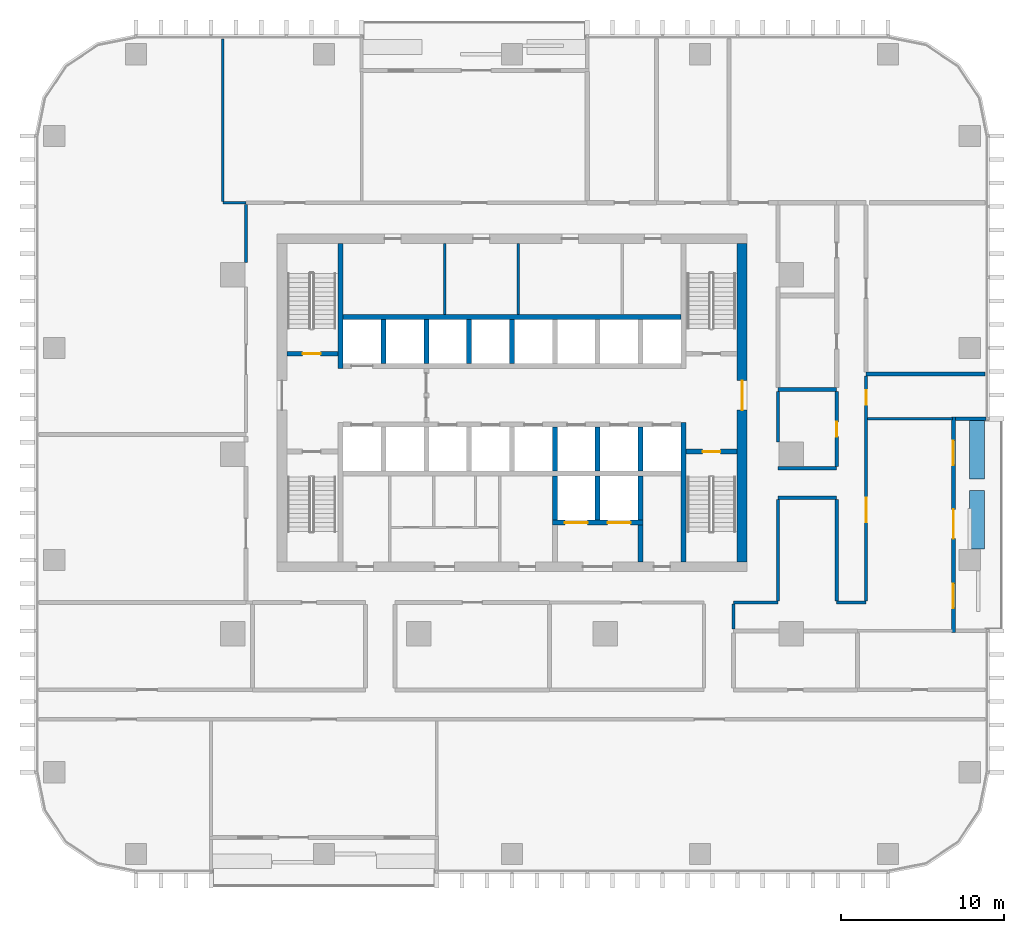
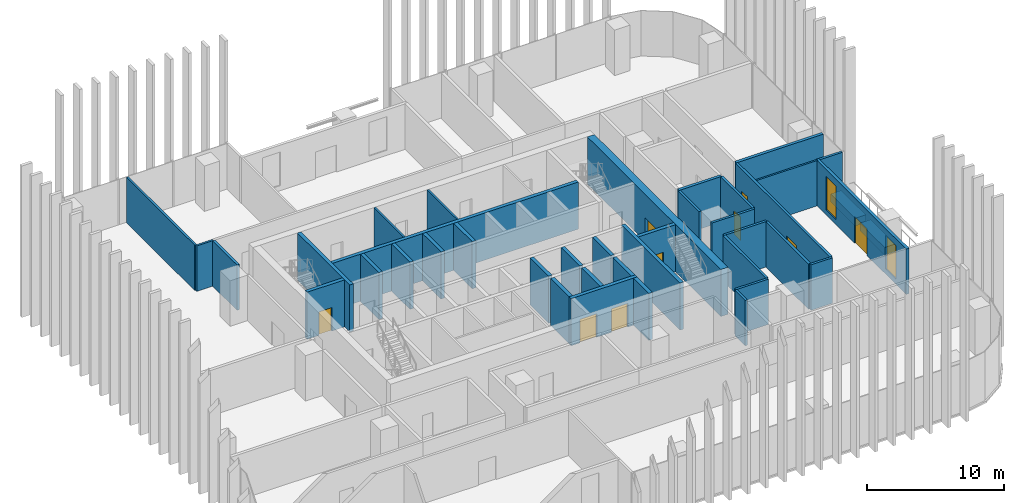
# One storey, part 9 of 17: 40 walls, 9 doors, 2 windows, 11 openings.
"""IFC4 building model written with IfcOpenShell, lengths in metres."""

from ifc_helpers import new_model, si_unit, direction, frame, frame_2d, origin, place, context, subcontext, project, spatial, rectangle, extrude, material, layer, layer_set, type_object, element, fill, save


model = new_model("IFC4")

# Units and contexts
model_context = context("Model", 3, precision=1e-05, world=origin(), true_north=direction((0.0, 1.0)))
body_context = subcontext(model_context, "Body", "Model", "MODEL_VIEW")
ifc_project = project(units=[si_unit("LENGTHUNIT", "METRE"), si_unit("AREAUNIT", "SQUARE_METRE"), si_unit("VOLUMEUNIT", "CUBIC_METRE"), si_unit("PLANEANGLEUNIT", "RADIAN"), si_unit("MASSUNIT", "GRAM", prefix="KILO")], contexts=[model_context])

# Site, building, storey
site_placement = place(None, origin())
site = spatial("IfcSite", under=ifc_project, at=site_placement, CompositionType="ELEMENT")
building_placement = place(site_placement, origin())
building = spatial("IfcBuilding", under=site, at=building_placement, Name="Mopane Tessera Tower", CompositionType="ELEMENT")
storey_placement = place(building_placement, frame((0.0, 0.0, 121.60009765625)))
storey = spatial("IfcBuildingStorey", under=building, at=storey_placement, Name="L24", CompositionType="ELEMENT", Elevation=121.60009765625)

# Walls
ifc_material_1 = material(Name="Fire-rated gypsum board partition")
ifc_layer_1 = layer(ifc_material_1, 0.14990234375)
ifc_layer_set_1 = layer_set([ifc_layer_1], Name="Fire-rated gypsum board partition")
wall_type_1 = type_object("IfcWallType", Name="Core room partition 150 mm", PredefinedType="PARTITIONING", material=ifc_layer_set_1)
for number, where, z_axis, x_axis, name in (
    (1, (-4.125, 8.550048828125, 0.0), (0.0, 0.0, 1.0), (0.0, 1.0, 0.0), "L24 Room partition"),
    (2, (0.375, 8.550048828125, 0.0), (0.0, 0.0, 1.0), (0.0, 1.0, 0.0), "L24 Room partition"),
):
    element("IfcWall", number, at=place(storey_placement, frame(where, z_axis=z_axis, x_axis=x_axis)), inside=storey, type_object=wall_type_1, Name=name, PredefinedType="PARTITIONING", context=body_context, shape_type="SweptSolid", body=[
        extrude(rectangle(XDim=4.349853515625, YDim=0.14990234375, at=frame_2d((2.1748046875, 0.0))), origin(), (0.0, 0.0, 1.0), 4.199951171875),
    ])

# Wall, opening, door
ifc_material_2 = material(Name="Concrete C70/85", Category="concrete")
ifc_layer_2 = layer(ifc_material_2, 0.60009765625)
ifc_layer_set_2 = layer_set([ifc_layer_2], Name="Concrete C70/85")
wall_type_2 = type_object("IfcWallType", Name="Core shear wall 600 mm", PredefinedType="SHEAR", material=ifc_layer_set_2)
wall_1_placement = place(storey_placement, frame((14.10009765625, -6.60009765625, 0.0), z_axis=(0.0, 0.0, 1.0), x_axis=(0.0, 1.0, 0.0)))
wall_1 = element("IfcWall", 3, at=wall_1_placement, inside=storey, type_object=wall_type_2, Name="L24 Core wall east", PredefinedType="SHEAR", context=body_context, shape_type="SweptSolid", body=[
    extrude(rectangle(XDim=19.5, YDim=0.60009765625, at=frame_2d((9.75, 0.0))), origin(), (0.0, 0.0, 1.0), 4.199951171875),
])
opening_1_placement = place(wall_1_placement, frame((9.300048828125, 0.0, 0.0)))
opening_1 = element("IfcOpeningElement", 4, at=opening_1_placement, cuts=wall_1, Name="Opening SD2", PredefinedType="OPENING", context=body_context, shape_type="SweptSolid", body=[
    extrude(rectangle(XDim=1.800048828125, YDim=2.10009765625, at=frame_2d((0.89990234375, 1.050048828125))), frame((0.0, 0.31201171875, 0.0), z_axis=(0.0, -1.0, 0.0), x_axis=(1.0, 0.0, 0.0)), (0.0, 0.0, 1.0), 0.6240234375),
])
ifc_material_3 = material(Name="Steel fire door", Category="steel")
door_type_1 = type_object("IfcDoorType", Name="Core entrance double door 1800 x 2100", OperationType="DOUBLE_DOOR_SINGLE_SWING", PredefinedType="DOOR", material=ifc_material_3)
door_1_placement = place(opening_1_placement, origin())
door_1 = element("IfcDoor", 5, at=door_1_placement, inside=storey, type_object=door_type_1, Name="L24 Core entrance door east", OperationType="DOUBLE_DOOR_SINGLE_SWING", OverallHeight=2.10009765625, OverallWidth=1.800048828125, PredefinedType="DOOR", context=body_context, shape_type="SweptSolid", body=[
    extrude(rectangle(XDim=1.800048828125, YDim=2.10009765625, at=frame_2d((0.89990234375, 1.050048828125))), frame((0.0, 0.02490234375, 0.0), z_axis=(0.0, -1.0, 0.0), x_axis=(1.0, 0.0, 0.0)), (0.0, 0.0, 1.0), 0.050048828125),
])
fill(opening_1, door_1)

# Walls
ifc_material_4 = material(Name="Concrete C60/75", Category="concrete")
ifc_layer_3 = layer(ifc_material_4, 0.300048828125)
ifc_layer_set_3 = layer_set([ifc_layer_3], Name="Concrete C60/75")
wall_type_3 = type_object("IfcWallType", Name="Core spine wall 300 mm", PredefinedType="SHEAR", material=ifc_layer_set_3)
wall_2_placement = place(storey_placement, frame((-10.5, 5.25, 0.0), z_axis=(0.0, 0.0, 1.0), x_axis=(0.0, 1.0, 0.0)))
element("IfcWall", 6, at=wall_2_placement, inside=storey, type_object=wall_type_3, Name="L24 Core spine wall", PredefinedType="SHEAR", context=body_context, shape_type="SweptSolid", body=[
    extrude(rectangle(XDim=7.64990234375, YDim=0.300048828125, at=frame_2d((3.824951171875, 0.0))), origin(), (0.0, 0.0, 1.0), 4.199951171875),
])
wall_3_placement = place(storey_placement, frame((10.5, -6.60009765625, 0.0), z_axis=(0.0, 0.0, 1.0), x_axis=(0.0, 1.0, 0.0)))
element("IfcWall", 7, at=wall_3_placement, inside=storey, type_object=wall_type_3, Name="L24 Core spine wall", PredefinedType="SHEAR", context=body_context, shape_type="SweptSolid", body=[
    extrude(rectangle(XDim=8.550048828125, YDim=0.300048828125, at=frame_2d((4.27490234375, 0.0))), origin(), (0.0, 0.0, 1.0), 4.199951171875),
])
ifc_material_5 = material(Name="Gypsum board on staggered steel studs, double layer each face, acoustic mineral wool infill", Category="steel")
ifc_layer_4 = layer(ifc_material_5, 0.175048828125)
ifc_layer_set_4 = layer_set([ifc_layer_4], Name="Gypsum board on staggered steel studs, double layer each face, acoustic mineral wool infill")
wall_type_4 = type_object("IfcWallType", Name="Gypsum board acoustic partition 175, rated EI 60", PredefinedType="PARTITIONING", material=ifc_layer_set_4)
wall_4_placement = place(storey_placement, frame((-17.72509765625, 15.39990234375, 0.0), z_axis=(0.0, 0.0, 1.0), x_axis=(1.0, 0.0, 0.0)))
element("IfcWall", 8, at=wall_4_placement, inside=storey, type_object=wall_type_4, Name="Partition L24:024", PredefinedType="PARTITIONING", context=body_context, shape_type="SweptSolid", body=[
    extrude(rectangle(XDim=1.425048828125, YDim=0.175048828125, at=frame_2d((0.71240234375, 0.0))), origin(), (0.0, 0.0, 1.0), 4.0498046875),
])
wall_5_placement = place(storey_placement, frame((-17.72509765625, 15.488037109375, 0.0), z_axis=(0.0, 0.0, 1.0), x_axis=(0.0, 1.0, 0.0)))
element("IfcWall", 9, at=wall_5_placement, inside=storey, type_object=wall_type_4, Name="Partition L24:033", PredefinedType="PARTITIONING", context=body_context, shape_type="SweptSolid", body=[
    extrude(rectangle(XDim=9.9619140625, YDim=0.175048828125, at=frame_2d((4.98095703125, 0.0))), origin(), (0.0, 0.0, 1.0), 4.0498046875),
])
ifc_material_6 = material(Name="Gypsum board on steel studs, two layers each face, mineral wool infill", Category="steel")
ifc_layer_5 = layer(ifc_material_6, 0.199951171875)
ifc_layer_set_5 = layer_set([ifc_layer_5], Name="Gypsum board on steel studs, two layers each face, mineral wool infill")
wall_type_5 = type_object("IfcWallType", Name="Gypsum board corridor wall 200, rated EI 60", PredefinedType="PARTITIONING", material=ifc_layer_set_5)
wall_6_placement = place(storey_placement, frame((13.570068359375, -9.10009765625, 0.0), z_axis=(0.0, 0.0, 1.0), x_axis=(1.0, 0.0, 0.0)))
element("IfcWall", 10, at=wall_6_placement, inside=storey, type_object=wall_type_5, Name="Partition L24:012", PredefinedType="PARTITIONING", context=body_context, shape_type="SweptSolid", body=[
    extrude(rectangle(XDim=2.72998046875, YDim=0.199951171875, at=frame_2d((1.364990234375, 0.0))), origin(), (0.0, 0.0, 1.0), 4.0498046875),
])
wall_7_placement = place(storey_placement, frame((19.89990234375, -9.10009765625, 0.0), z_axis=(0.0, 0.0, 1.0), x_axis=(1.0, 0.0, 0.0)))
element("IfcWall", 11, at=wall_7_placement, inside=storey, type_object=wall_type_5, Name="Partition L24:013", PredefinedType="PARTITIONING", context=body_context, shape_type="SweptSolid", body=[
    extrude(rectangle(XDim=1.800048828125, YDim=0.199951171875, at=frame_2d((0.89990234375, 0.0))), origin(), (0.0, 0.0, 1.0), 4.0498046875),
])
for number, where, z_axis, x_axis, name in (
    (12, (16.300048828125, -2.675048828125, 0.0), (0.0, 0.0, 1.0), (1.0, 0.0, 0.0), "Partition L24:017"),
    (13, (16.300048828125, -0.875, 0.0), (0.0, 0.0, 1.0), (1.0, 0.0, 0.0), "Partition L24:018"),
):
    element("IfcWall", number, at=place(storey_placement, frame(where, z_axis=z_axis, x_axis=x_axis)), inside=storey, type_object=wall_type_5, Name=name, PredefinedType="PARTITIONING", context=body_context, shape_type="SweptSolid", body=[
        extrude(rectangle(XDim=3.599853515625, YDim=0.199951171875, at=frame_2d((1.7998046875, 0.0))), origin(), (0.0, 0.0, 1.0), 4.0498046875),
    ])
wall_8_placement = place(storey_placement, frame((-16.300048828125, 11.75, 0.0), z_axis=(0.0, 0.0, 1.0), x_axis=(0.0, 1.0, 0.0)))
element("IfcWall", 14, at=wall_8_placement, inside=storey, type_object=wall_type_5, Name="Partition L24:035", PredefinedType="PARTITIONING", context=body_context, shape_type="SweptSolid", body=[
    extrude(rectangle(XDim=3.550048828125, YDim=0.199951171875, at=frame_2d((1.77490234375, 0.0))), origin(), (0.0, 0.0, 1.0), 4.0498046875),
])
wall_9_placement = place(storey_placement, frame((13.570068359375, -10.7099609375, 0.0), z_axis=(0.0, 0.0, 1.0), x_axis=(0.0, 1.0, 0.0)))
element("IfcWall", 15, at=wall_9_placement, inside=storey, type_object=wall_type_5, Name="Partition L24:048", PredefinedType="PARTITIONING", context=body_context, shape_type="SweptSolid", body=[
    extrude(rectangle(XDim=1.510009765625, YDim=0.199951171875, at=frame_2d((0.7548828125, 0.0))), origin(), (0.0, 0.0, 1.0), 4.0498046875),
])
wall_10_placement = place(storey_placement, frame((16.300048828125, -9.0, 0.0), z_axis=(0.0, 0.0, 1.0), x_axis=(0.0, 1.0, 0.0)))
element("IfcWall", 16, at=wall_10_placement, inside=storey, type_object=wall_type_5, Name="Partition L24:050", PredefinedType="PARTITIONING", context=body_context, shape_type="SweptSolid", body=[
    extrude(rectangle(XDim=6.22509765625, YDim=0.199951171875, at=frame_2d((3.112548828125, 0.0))), origin(), (0.0, 0.0, 1.0), 4.0498046875),
])
wall_11_placement = place(storey_placement, frame((16.300048828125, 0.75, 0.0), z_axis=(0.0, 0.0, 1.0), x_axis=(0.0, 1.0, 0.0)))
element("IfcWall", 17, at=wall_11_placement, inside=storey, type_object=wall_type_5, Name="Partition L24:051", PredefinedType="PARTITIONING", context=body_context, shape_type="SweptSolid", body=[
    extrude(rectangle(XDim=3.070068359375, YDim=0.199951171875, at=frame_2d((1.53515625, 0.0))), origin(), (0.0, 0.0, 1.0), 4.0498046875),
])
wall_12_placement = place(storey_placement, frame((19.89990234375, -9.0, 0.0), z_axis=(0.0, 0.0, 1.0), x_axis=(0.0, 1.0, 0.0)))
element("IfcWall", 18, at=wall_12_placement, inside=storey, type_object=wall_type_5, Name="Partition L24:054", PredefinedType="PARTITIONING", context=body_context, shape_type="SweptSolid", body=[
    extrude(rectangle(XDim=6.22509765625, YDim=0.199951171875, at=frame_2d((3.112548828125, 0.0))), origin(), (0.0, 0.0, 1.0), 4.0498046875),
])

# Wall, opening, door
wall_13_placement = place(storey_placement, frame((19.89990234375, -0.77490234375, 0.0), z_axis=(0.0, 0.0, 1.0), x_axis=(0.0, 1.0, 0.0)))
wall_13 = element("IfcWall", 19, at=wall_13_placement, inside=storey, type_object=wall_type_5, Name="Partition L24:055", PredefinedType="PARTITIONING", context=body_context, shape_type="SweptSolid", body=[
    extrude(rectangle(XDim=4.594970703125, YDim=0.199951171875, at=frame_2d((2.29736328125, 0.0))), origin(), (0.0, 0.0, 1.0), 4.0498046875),
])
opening_2_placement = place(wall_13_placement, frame((1.847412109375, 0.0, 0.0)))
opening_2 = element("IfcOpeningElement", 20, at=opening_2_placement, cuts=wall_13, Name="Opening L24-16", PredefinedType="OPENING", context=body_context, shape_type="SweptSolid", body=[
    extrude(rectangle(XDim=0.89990234375, YDim=2.10009765625, at=frame_2d((0.449951171875, 1.050048828125))), frame((0.0, 0.112060546875, 0.0), z_axis=(0.0, -1.0, 0.0), x_axis=(1.0, 0.0, 0.0)), (0.0, 0.0, 1.0), 0.223876953125),
])
ifc_material_7 = material(Name="Timber veneered steel-framed fire door", Category="steel")
door_type_2 = type_object("IfcDoorType", Name="Fire door FD60 900 x 2100", OperationType="SINGLE_SWING_LEFT", PredefinedType="DOOR", material=ifc_material_7)
door_2_placement = place(opening_2_placement, origin())
door_2 = element("IfcDoor", 21, at=door_2_placement, inside=storey, type_object=door_type_2, Name="Door L24-16", ObjectType="D10A", OperationType="SINGLE_SWING_LEFT", OverallHeight=2.10009765625, OverallWidth=0.89990234375, PredefinedType="DOOR", context=body_context, shape_type="SweptSolid", body=[
    extrude(rectangle(XDim=0.89990234375, YDim=2.10009765625, at=frame_2d((0.449951171875, 1.050048828125))), frame((0.0, 0.02490234375, 0.0), z_axis=(0.0, -1.0, 0.0), x_axis=(1.0, 0.0, 0.0)), (0.0, 0.0, 1.0), 0.050048828125),
])
fill(opening_2, door_2)

# Wall, openings, doors
wall_14_placement = place(storey_placement, frame((21.699951171875, -9.0, 0.0), z_axis=(0.0, 0.0, 1.0), x_axis=(0.0, 1.0, 0.0)))
wall_14 = element("IfcWall", 22, at=wall_14_placement, inside=storey, type_object=wall_type_5, Name="Partition L24:058", PredefinedType="PARTITIONING", context=body_context, shape_type="SweptSolid", body=[
    extrude(rectangle(XDim=13.77490234375, YDim=0.199951171875, at=frame_2d((6.887451171875, 0.0))), origin(), (0.0, 0.0, 1.0), 4.0498046875),
])
opening_3_placement = place(wall_14_placement, frame((4.83251953125, 0.0, 0.0)))
opening_3 = element("IfcOpeningElement", 23, at=opening_3_placement, cuts=wall_14, Name="Opening L24-04", PredefinedType="OPENING", context=body_context, shape_type="SweptSolid", body=[
    extrude(rectangle(XDim=1.5, YDim=2.10009765625, at=frame_2d((0.75, 1.050048828125))), frame((0.0, 0.112060546875, 0.0), z_axis=(0.0, -1.0, 0.0), x_axis=(1.0, 0.0, 0.0)), (0.0, 0.0, 1.0), 0.223876953125),
])
opening_4_placement = place(wall_14_placement, frame((12.02001953125, 0.0, 0.0)))
opening_4 = element("IfcOpeningElement", 24, at=opening_4_placement, cuts=wall_14, Name="Opening L24-22", PredefinedType="OPENING", context=body_context, shape_type="SweptSolid", body=[
    extrude(rectangle(XDim=0.89990234375, YDim=2.10009765625, at=frame_2d((0.449951171875, 1.050048828125))), frame((0.0, 0.112060546875, 0.0), z_axis=(0.0, -1.0, 0.0), x_axis=(1.0, 0.0, 0.0)), (0.0, 0.0, 1.0), 0.223876953125),
])
door_3_placement = place(opening_4_placement, origin())
door_3 = element("IfcDoor", 25, at=door_3_placement, inside=storey, type_object=door_type_2, Name="Door L24-22", ObjectType="D10A", OperationType="SINGLE_SWING_RIGHT", OverallHeight=2.10009765625, OverallWidth=0.89990234375, PredefinedType="DOOR", context=body_context, shape_type="SweptSolid", body=[
    extrude(rectangle(XDim=0.89990234375, YDim=2.10009765625, at=frame_2d((0.449951171875, 1.050048828125))), frame((0.0, 0.02490234375, 0.0), z_axis=(0.0, -1.0, 0.0), x_axis=(1.0, 0.0, 0.0)), (0.0, 0.0, 1.0), 0.050048828125),
])
fill(opening_4, door_3)
ifc_material_8 = material(Name="Timber veneered steel-framed fire door", Category="steel")
door_type_3 = type_object("IfcDoorType", Name="Fire door pair FD60 1500 x 2100", OperationType="DOUBLE_DOOR_SINGLE_SWING", PredefinedType="DOOR", material=ifc_material_8)
door_4_placement = place(opening_3_placement, origin())
door_4 = element("IfcDoor", 26, at=door_4_placement, inside=storey, type_object=door_type_3, Name="Door L24-04", ObjectType="D17A", OperationType="DOUBLE_DOOR_SINGLE_SWING", OverallHeight=2.10009765625, OverallWidth=1.5, PredefinedType="DOOR", context=body_context, shape_type="SweptSolid", body=[
    extrude(rectangle(XDim=1.5, YDim=2.10009765625, at=frame_2d((0.75, 1.050048828125))), frame((0.0, 0.02490234375, 0.0), z_axis=(0.0, -1.0, 0.0), x_axis=(1.0, 0.0, 0.0)), (0.0, 0.0, 1.0), 0.050048828125),
])
fill(opening_3, door_4)

# Wall
ifc_material_9 = material(Name="Gypsum board on steel studs, mineral wool infill", Category="steel")
ifc_layer_6 = layer(ifc_material_9, 0.14990234375)
ifc_layer_set_6 = layer_set([ifc_layer_6], Name="Gypsum board on steel studs, mineral wool infill")
wall_type_6 = type_object("IfcWallType", Name="Gypsum board partition 150, rated EI 60", PredefinedType="PARTITIONING", material=ifc_layer_set_6)
wall_15_placement = place(storey_placement, frame((21.800048828125, 2.1650390625, 0.0), z_axis=(0.0, 0.0, 1.0), x_axis=(1.0, 0.0, 0.0)))
element("IfcWall", 27, at=wall_15_placement, inside=storey, type_object=wall_type_6, Name="Partition L24:020", PredefinedType="PARTITIONING", context=body_context, shape_type="SweptSolid", body=[
    extrude(rectangle(XDim=5.199951171875, YDim=0.14990234375, at=frame_2d((2.60009765625, 0.0))), origin(), (0.0, 0.0, 1.0), 4.0498046875),
])

# Wall, opening, door
ifc_material_10 = material(Name="Concrete C50/60", Category="concrete")
ifc_layer_7 = layer(ifc_material_10, 0.300048828125)
ifc_layer_set_7 = layer_set([ifc_layer_7], Name="Concrete C50/60")
wall_type_7 = type_object("IfcWallType", Name="Lift and stair shaft wall 300 mm", PredefinedType="SOLIDWALL", material=ifc_layer_set_7)
wall_16_placement = place(storey_placement, frame((-13.800048828125, 6.14990234375, 0.0), z_axis=(0.0, 0.0, 1.0), x_axis=(1.0, 0.0, 0.0)))
wall_16 = element("IfcWall", 28, at=wall_16_placement, inside=storey, type_object=wall_type_7, Name="L24 Stair enclosure wall", PredefinedType="SOLIDWALL", context=body_context, shape_type="SweptSolid", body=[
    extrude(rectangle(XDim=3.150146484375, YDim=0.300048828125, at=frame_2d((1.5751953125, 0.0))), origin(), (0.0, 0.0, 1.0), 4.199951171875),
])
opening_5_placement = place(wall_16_placement, frame((0.97509765625, 0.0, 0.0)))
opening_5 = element("IfcOpeningElement", 29, at=opening_5_placement, cuts=wall_16, Name="Opening SD1", PredefinedType="OPENING", context=body_context, shape_type="SweptSolid", body=[
    extrude(rectangle(XDim=1.10009765625, YDim=2.10009765625, at=frame_2d((0.550048828125, 1.050048828125))), frame((0.0, 0.162109375, 0.0), z_axis=(0.0, -1.0, 0.0), x_axis=(1.0, 0.0, 0.0)), (0.0, 0.0, 1.0), 0.323974609375),
])
ifc_material_11 = material(Name="Steel fire door", Category="steel")
door_type_4 = type_object("IfcDoorType", Name="Stair fire door 1100 x 2100", OperationType="SINGLE_SWING_LEFT", PredefinedType="DOOR", material=ifc_material_11)
door_5_placement = place(opening_5_placement, origin())
door_5 = element("IfcDoor", 30, at=door_5_placement, inside=storey, type_object=door_type_4, Name="L24 Stair door ST2", OperationType="SINGLE_SWING_LEFT", OverallHeight=2.10009765625, OverallWidth=1.10009765625, PredefinedType="DOOR", context=body_context, shape_type="SweptSolid", body=[
    extrude(rectangle(XDim=1.10009765625, YDim=2.10009765625, at=frame_2d((0.550048828125, 1.050048828125))), frame((0.0, 0.02490234375, 0.0), z_axis=(0.0, -1.0, 0.0), x_axis=(1.0, 0.0, 0.0)), (0.0, 0.0, 1.0), 0.050048828125),
])
fill(opening_5, door_5)

wall_17_placement = place(storey_placement, frame((10.64990234375, 0.14990234375, 0.0), z_axis=(0.0, 0.0, 1.0), x_axis=(1.0, 0.0, 0.0)))
wall_17 = element("IfcWall", 31, at=wall_17_placement, inside=storey, type_object=wall_type_7, Name="L24 Stair enclosure wall", PredefinedType="SOLIDWALL", context=body_context, shape_type="SweptSolid", body=[
    extrude(rectangle(XDim=3.150146484375, YDim=0.300048828125, at=frame_2d((1.5751953125, 0.0))), origin(), (0.0, 0.0, 1.0), 4.199951171875),
])
opening_6_placement = place(wall_17_placement, frame((1.02490234375, 0.0, 0.0)))
opening_6 = element("IfcOpeningElement", 32, at=opening_6_placement, cuts=wall_17, Name="Opening SD1", PredefinedType="OPENING", context=body_context, shape_type="SweptSolid", body=[
    extrude(rectangle(XDim=1.10009765625, YDim=2.10009765625, at=frame_2d((0.550048828125, 1.050048828125))), frame((0.0, 0.162109375, 0.0), z_axis=(0.0, -1.0, 0.0), x_axis=(1.0, 0.0, 0.0)), (0.0, 0.0, 1.0), 0.323974609375),
])
door_6_placement = place(opening_6_placement, origin())
door_6 = element("IfcDoor", 33, at=door_6_placement, inside=storey, type_object=door_type_4, Name="L24 Stair door ST3", OperationType="SINGLE_SWING_RIGHT", OverallHeight=2.10009765625, OverallWidth=1.10009765625, PredefinedType="DOOR", context=body_context, shape_type="SweptSolid", body=[
    extrude(rectangle(XDim=1.10009765625, YDim=2.10009765625, at=frame_2d((0.550048828125, 1.050048828125))), frame((0.0, 0.02490234375, 0.0), z_axis=(0.0, -1.0, 0.0), x_axis=(1.0, 0.0, 0.0)), (0.0, 0.0, 1.0), 0.050048828125),
])
fill(opening_6, door_6)

# Walls
wall_18_placement = place(storey_placement, frame((-10.35009765625, 8.39990234375, 0.0), z_axis=(0.0, 0.0, 1.0), x_axis=(1.0, 0.0, 0.0)))
element("IfcWall", 34, at=wall_18_placement, inside=storey, type_object=wall_type_7, Name="L24 Lift shaft rear wall", PredefinedType="SOLIDWALL", context=body_context, shape_type="SweptSolid", body=[
    extrude(rectangle(XDim=20.7001953125, YDim=0.300048828125, at=frame_2d((10.35009765625, 0.0))), origin(), (0.0, 0.0, 1.0), 4.199951171875),
])
for number, where, z_axis, x_axis, name in (
    (35, (2.625, -1.050048828125, 0.0), (0.0, 0.0, 1.0), (0.0, 1.0, 0.0), "L24 Lift shaft wall"),
    (36, (5.25, -1.050048828125, 0.0), (0.0, 0.0, 1.0), (0.0, 1.0, 0.0), "L24 Lift shaft wall"),
    (37, (7.875, -1.050048828125, 0.0), (0.0, 0.0, 1.0), (0.0, 1.0, 0.0), "L24 Lift shaft wall"),
    (38, (-7.875, 5.550048828125, 0.0), (0.0, 0.0, 1.0), (0.0, 1.0, 0.0), "L24 Lift shaft wall"),
    (39, (-5.25, 5.550048828125, 0.0), (0.0, 0.0, 1.0), (0.0, 1.0, 0.0), "L24 Lift shaft wall"),
    (40, (-2.625, 5.550048828125, 0.0), (0.0, 0.0, 1.0), (0.0, 1.0, 0.0), "L24 Lift shaft wall"),
    (41, (0.0, 5.550048828125, 0.0), (0.0, 0.0, 1.0), (0.0, 1.0, 0.0), "L24 Lift shaft wall"),
):
    element("IfcWall", number, at=place(storey_placement, frame(where, z_axis=z_axis, x_axis=x_axis)), inside=storey, type_object=wall_type_7, Name=name, PredefinedType="SOLIDWALL", context=body_context, shape_type="SweptSolid", body=[
        extrude(rectangle(XDim=2.699951171875, YDim=0.300048828125, at=frame_2d((1.35009765625, 0.0))), origin(), (0.0, 0.0, 1.0), 4.199951171875),
    ])

# Wall, openings, doors
wall_19_placement = place(storey_placement, frame((2.47509765625, -4.199951171875, 0.0), z_axis=(0.0, 0.0, 1.0), x_axis=(1.0, 0.0, 0.0)))
wall_19 = element("IfcWall", 42, at=wall_19_placement, inside=storey, type_object=wall_type_7, Name="L24 Lift shaft front wall", PredefinedType="SOLIDWALL", context=body_context, shape_type="SweptSolid", body=[
    extrude(rectangle(XDim=5.5498046875, YDim=0.300048828125, at=frame_2d((2.77490234375, 0.0))), origin(), (0.0, 0.0, 1.0), 4.199951171875),
])
opening_7_placement = place(wall_19_placement, frame((0.762451171875, 0.0, 0.0)))
opening_7 = element("IfcOpeningElement", 43, at=opening_7_placement, cuts=wall_19, Name="Opening LD3", PredefinedType="OPENING", context=body_context, shape_type="SweptSolid", body=[
    extrude(rectangle(XDim=1.39990234375, YDim=2.10009765625, at=frame_2d((0.699951171875, 1.050048828125))), frame((0.0, 0.162109375, 0.0), z_axis=(0.0, -1.0, 0.0), x_axis=(1.0, 0.0, 0.0)), (0.0, 0.0, 1.0), 0.323974609375),
])
opening_8_placement = place(wall_19_placement, frame((3.387451171875, 0.0, 0.0)))
opening_8 = element("IfcOpeningElement", 44, at=opening_8_placement, cuts=wall_19, Name="Opening LD3", PredefinedType="OPENING", context=body_context, shape_type="SweptSolid", body=[
    extrude(rectangle(XDim=1.39990234375, YDim=2.10009765625, at=frame_2d((0.699951171875, 1.050048828125))), frame((0.0, 0.162109375, 0.0), z_axis=(0.0, -1.0, 0.0), x_axis=(1.0, 0.0, 0.0)), (0.0, 0.0, 1.0), 0.323974609375),
])
ifc_material_12 = material(Name="Stainless steel sliding door", Category="steel")
door_type_5 = type_object("IfcDoorType", Name="Service lift landing door 1400 x 2100", OperationType="DOUBLE_DOOR_SLIDING", PredefinedType="DOOR", material=ifc_material_12)
door_7_placement = place(opening_7_placement, origin())
door_7 = element("IfcDoor", 45, at=door_7_placement, inside=storey, type_object=door_type_5, Name="L24 Lift landing door SV1", OperationType="DOUBLE_DOOR_SLIDING", OverallHeight=2.10009765625, OverallWidth=1.39990234375, PredefinedType="DOOR", context=body_context, shape_type="SweptSolid", body=[
    extrude(rectangle(XDim=1.39990234375, YDim=2.10009765625, at=frame_2d((0.699951171875, 1.050048828125))), frame((0.0, 0.02490234375, 0.0), z_axis=(0.0, -1.0, 0.0), x_axis=(1.0, 0.0, 0.0)), (0.0, 0.0, 1.0), 0.050048828125),
])
fill(opening_7, door_7)
door_8_placement = place(opening_8_placement, origin())
door_8 = element("IfcDoor", 46, at=door_8_placement, inside=storey, type_object=door_type_5, Name="L24 Lift landing door SV2", OperationType="DOUBLE_DOOR_SLIDING", OverallHeight=2.10009765625, OverallWidth=1.39990234375, PredefinedType="DOOR", context=body_context, shape_type="SweptSolid", body=[
    extrude(rectangle(XDim=1.39990234375, YDim=2.10009765625, at=frame_2d((0.699951171875, 1.050048828125))), frame((0.0, 0.02490234375, 0.0), z_axis=(0.0, -1.0, 0.0), x_axis=(1.0, 0.0, 0.0)), (0.0, 0.0, 1.0), 0.050048828125),
])
fill(opening_8, door_8)

# Walls
for number, where, z_axis, x_axis, name in (
    (47, (2.625, -4.050048828125, 0.0), (0.0, 0.0, 1.0), (0.0, 1.0, 0.0), "L24 Lift shaft wall"),
    (48, (5.25, -4.050048828125, 0.0), (0.0, 0.0, 1.0), (0.0, 1.0, 0.0), "L24 Lift shaft wall"),
    (49, (7.875, -4.050048828125, 0.0), (0.0, 0.0, 1.0), (0.0, 1.0, 0.0), "L24 Lift shaft wall"),
):
    element("IfcWall", number, at=place(storey_placement, frame(where, z_axis=z_axis, x_axis=x_axis)), inside=storey, type_object=wall_type_7, Name=name, PredefinedType="SOLIDWALL", context=body_context, shape_type="SweptSolid", body=[
        extrude(rectangle(XDim=2.699951171875, YDim=0.300048828125, at=frame_2d((1.35009765625, 0.0))), origin(), (0.0, 0.0, 1.0), 4.199951171875),
    ])
ifc_material_13 = material(Name="Concrete C50/60", Category="concrete")
ifc_layer_8 = layer(ifc_material_13, 0.300048828125)
ifc_layer_set_8 = layer_set([ifc_layer_8], Name="Concrete C50/60")
wall_type_8 = type_object("IfcWallType", Name="Lobby and refuge room wall 300 mm", PredefinedType="SOLIDWALL", material=ifc_layer_set_8)
wall_20_placement = place(storey_placement, frame((7.875, -6.60009765625, 0.0), z_axis=(0.0, 0.0, 1.0), x_axis=(0.0, 1.0, 0.0)))
element("IfcWall", 50, at=wall_20_placement, inside=storey, type_object=wall_type_8, Name="L24 Service lobby wall", PredefinedType="SOLIDWALL", context=body_context, shape_type="SweptSolid", body=[
    extrude(rectangle(XDim=2.25, YDim=0.300048828125, at=frame_2d((1.125, 0.0))), origin(), (0.0, 0.0, 1.0), 4.199951171875),
])
ifc_material_14 = material(Name="Reinforced concrete C32/40 with waterproofing", Category="concrete")
ifc_layer_9 = layer(ifc_material_14, 0.89990234375)
ifc_layer_set_9 = layer_set([ifc_layer_9], Name="Reinforced concrete C32/40 with waterproofing")
wall_type_9 = type_object("IfcWallType", Name="Planter trough 3600 x 900", PredefinedType="STANDARD", material=ifc_layer_set_9)
for number, where, z_axis, x_axis, name in (
    (51, (28.5, -5.830078125, 0.0), (0.0, 0.0, 1.0), (0.0, 1.0, 0.0), "e:nw:L24:N3:pl0"),
    (52, (28.5, -1.533447265625, 0.0), (0.0, 0.0, 1.0), (0.0, 1.0, 0.0), "e:nw:L24:N3:pl1"),
):
    element("IfcWall", number, at=place(storey_placement, frame(where, z_axis=z_axis, x_axis=x_axis)), inside=storey, type_object=wall_type_9, Name=name, PredefinedType="STANDARD", context=body_context, shape_type="SweptSolid", body=[
        extrude(rectangle(XDim=3.60009765625, YDim=0.89990234375, at=frame_2d((1.800048828125, 0.0))), origin(), (0.0, 0.0, 1.0), 0.699951171875),
    ])
ifc_material_15 = material(Name="Plastered concrete blockwork C20/25", Category="masonry")
ifc_layer_10 = layer(ifc_material_15, 0.25)
ifc_layer_set_10 = layer_set([ifc_layer_10], Name="Plastered concrete blockwork C20/25")
wall_type_10 = type_object("IfcWallType", Name="Plastered blockwork wall 250, rated EI 120", PredefinedType="PARTITIONING", material=ifc_layer_set_10)
wall_21_placement = place(storey_placement, frame((16.300048828125, 3.945068359375, 0.0), z_axis=(0.0, 0.0, 1.0), x_axis=(1.0, 0.0, 0.0)))
element("IfcWall", 53, at=wall_21_placement, inside=storey, type_object=wall_type_10, Name="Partition L24:021", PredefinedType="PARTITIONING", context=body_context, shape_type="SweptSolid", body=[
    extrude(rectangle(XDim=3.599853515625, YDim=0.25, at=frame_2d((1.7998046875, 0.0))), origin(), (0.0, 0.0, 1.0), 4.0498046875),
])
wall_22_placement = place(storey_placement, frame((21.699951171875, 4.89990234375, 0.0), z_axis=(0.0, 0.0, 1.0), x_axis=(1.0, 0.0, 0.0)))
element("IfcWall", 54, at=wall_22_placement, inside=storey, type_object=wall_type_10, Name="Partition L24:022", PredefinedType="PARTITIONING", context=body_context, shape_type="SweptSolid", body=[
    extrude(rectangle(XDim=7.300048828125, YDim=0.25, at=frame_2d((3.64990234375, 0.0))), origin(), (0.0, 0.0, 1.0), 4.0498046875),
])
ifc_material_16 = material(Name="Blockwork with glazed tile facing", Category="masonry")
ifc_layer_11 = layer(ifc_material_16, 0.199951171875)
ifc_layer_set_11 = layer_set([ifc_layer_11], Name="Blockwork with glazed tile facing")
wall_type_11 = type_object("IfcWallType", Name="Terrace cheek wall 200", PredefinedType="STANDARD", material=ifc_layer_set_11)
wall_23_placement = place(storey_placement, frame((29.050048828125, 2.166748046875, 0.0), z_axis=(0.0, 0.0, 1.0), x_axis=(-1.0, 0.0, 0.0)))
element("IfcWall", 55, at=wall_23_placement, inside=storey, type_object=wall_type_11, Name="e:nw:L24:N3:cheekb", PredefinedType="STANDARD", context=body_context, shape_type="SweptSolid", body=[
    extrude(rectangle(XDim=1.875, YDim=0.199951171875, at=frame_2d((0.9375, 0.0))), origin(), (0.0, 0.0, 1.0), 4.0498046875),
])

# Wall, openings, windows, door
ifc_material_17 = material(Name="Blockwork with ultramarine glazed tile facing", Category="masonry")
ifc_layer_12 = layer(ifc_material_17, 0.25)
ifc_layer_set_12 = layer_set([ifc_layer_12], Name="Blockwork with ultramarine glazed tile facing")
wall_type_12 = type_object("IfcWallType", Name="Tile-clad external wall 250, ultramarine", PredefinedType="STANDARD", material=ifc_layer_set_12)
wall_24_placement = place(storey_placement, frame((27.050048828125, -10.933349609375, 0.0), z_axis=(0.0, 0.0, 1.0), x_axis=(0.0, 1.0, 0.0)))
wall_24 = element("IfcWall", 56, at=wall_24_placement, inside=storey, type_object=wall_type_12, Name="e:nw:L24:N3:back", PredefinedType="STANDARD", context=body_context, shape_type="SweptSolid", body=[
    extrude(rectangle(XDim=13.199951171875, YDim=0.25, at=frame_2d((6.60009765625, 0.0))), origin(), (0.0, 0.0, 1.0), 4.0498046875),
])
opening_9_placement = place(wall_24_placement, frame((1.5, 0.0, 0.449951171875)))
opening_9 = element("IfcOpeningElement", 57, at=opening_9_placement, cuts=wall_24, Name="Opening NW243A", PredefinedType="OPENING", context=body_context, shape_type="SweptSolid", body=[
    extrude(rectangle(XDim=1.5, YDim=3.0, at=frame_2d((0.75, 1.5))), frame((0.0, 0.136962890625, 0.0), z_axis=(0.0, -1.0, 0.0), x_axis=(1.0, 0.0, 0.0)), (0.0, 0.0, 1.0), 0.27392578125),
])
opening_10_placement = place(wall_24_placement, frame((5.75, 0.0, 0.0)))
opening_10 = element("IfcOpeningElement", 58, at=opening_10_placement, cuts=wall_24, Name="Opening ND243", PredefinedType="OPENING", context=body_context, shape_type="SweptSolid", body=[
    extrude(rectangle(XDim=1.800048828125, YDim=2.39990234375, at=frame_2d((0.89990234375, 1.199951171875))), frame((0.0, 0.136962890625, 0.0), z_axis=(0.0, -1.0, 0.0), x_axis=(1.0, 0.0, 0.0)), (0.0, 0.0, 1.0), 0.27392578125),
])
opening_11_placement = place(wall_24_placement, frame((10.25, 0.0, 0.449951171875)))
opening_11 = element("IfcOpeningElement", 59, at=opening_11_placement, cuts=wall_24, Name="Opening NW243B", PredefinedType="OPENING", context=body_context, shape_type="SweptSolid", body=[
    extrude(rectangle(XDim=1.5, YDim=3.0, at=frame_2d((0.75, 1.5))), frame((0.0, 0.136962890625, 0.0), z_axis=(0.0, -1.0, 0.0), x_axis=(1.0, 0.0, 0.0)), (0.0, 0.0, 1.0), 0.27392578125),
])
ifc_material_18 = material(Name="Clear laminated glass", Category="glass")
window_type = type_object("IfcWindowType", Name="Fixed window 1500 x 3000", PartitioningType="SINGLE_PANEL", PredefinedType="WINDOW", material=ifc_material_18)
window_1_placement = place(opening_9_placement, origin())
window_1 = element("IfcWindow", 60, at=window_1_placement, inside=storey, type_object=window_type, Name="e:nw:L24:N3:win0", OverallHeight=3.0, OverallWidth=1.5, PartitioningType="SINGLE_PANEL", PredefinedType="WINDOW", context=body_context, shape_type="SweptSolid", body=[
    extrude(rectangle(XDim=1.5, YDim=3.0, at=frame_2d((0.75, 1.5))), frame((0.0, 0.030029296875, 0.0), z_axis=(0.0, -1.0, 0.0), x_axis=(1.0, 0.0, 0.0)), (0.0, 0.0, 1.0), 0.06005859375),
])
fill(opening_9, window_1)
window_2_placement = place(opening_11_placement, origin())
window_2 = element("IfcWindow", 61, at=window_2_placement, inside=storey, type_object=window_type, Name="e:nw:L24:N3:win2", OverallHeight=3.0, OverallWidth=1.5, PartitioningType="SINGLE_PANEL", PredefinedType="WINDOW", context=body_context, shape_type="SweptSolid", body=[
    extrude(rectangle(XDim=1.5, YDim=3.0, at=frame_2d((0.75, 1.5))), frame((0.0, 0.030029296875, 0.0), z_axis=(0.0, -1.0, 0.0), x_axis=(1.0, 0.0, 0.0)), (0.0, 0.0, 1.0), 0.06005859375),
])
fill(opening_11, window_2)
ifc_material_19 = material(Name="Aluminium and clear glass", Category="aluminium")
door_type_6 = type_object("IfcDoorType", Name="Terrace double door 1800 x 2400", OperationType="DOUBLE_DOOR_SINGLE_SWING", PredefinedType="DOOR", material=ifc_material_19)
door_9_placement = place(opening_10_placement, origin())
door_9 = element("IfcDoor", 62, at=door_9_placement, inside=storey, type_object=door_type_6, Name="e:nw:L24:N3:door", ObjectType="D1", OperationType="DOUBLE_DOOR_SINGLE_SWING", OverallHeight=2.39990234375, OverallWidth=1.800048828125, PredefinedType="DOOR", context=body_context, shape_type="SweptSolid", body=[
    extrude(rectangle(XDim=1.800048828125, YDim=2.39990234375, at=frame_2d((0.89990234375, 1.199951171875))), frame((0.0, 0.02490234375, 0.0), z_axis=(0.0, -1.0, 0.0), x_axis=(1.0, 0.0, 0.0)), (0.0, 0.0, 1.0), 0.050048828125),
])
fill(opening_10, door_9)

save(model, "model.ifc")
